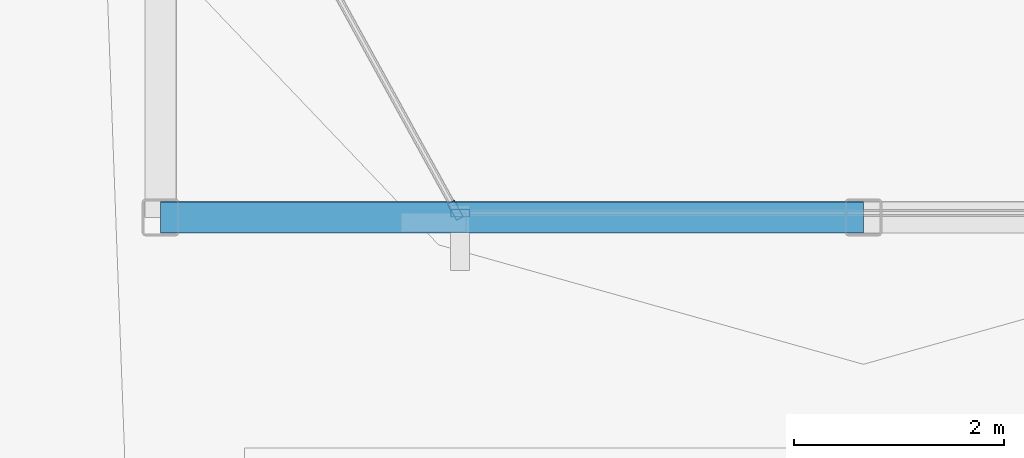
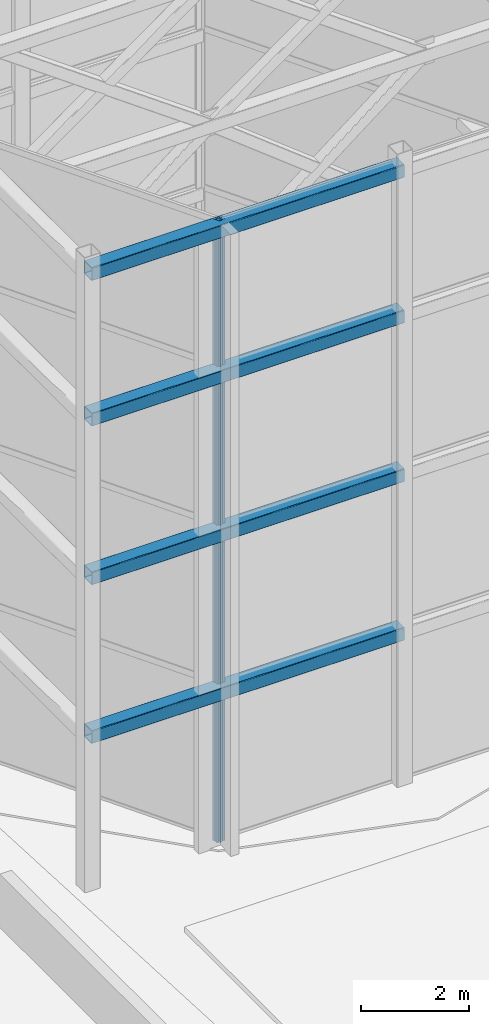
# One storey, part 10 of 24: 4 beams, 2 members, 2 elements without a shape of their own.
"""IFC4 building model written with IfcOpenShell, lengths in metres."""

import ifcopenshell
import ifcopenshell.guid

model = None  # the IFC model being written
_history = None  # IfcOwnerHistory: only IFC2X3 demands one
_inside = {}  # id of a spatial element -> (the spatial element, [elements in it])
_under = {}  # id of a project, library or spatial element -> (it, [spatial elements below it])
_declared = {}  # id of a project -> (the project, [libraries it declares])
_typed = {}  # id of a type object -> (the type object, [elements of that type])
_made_of = {}  # id of a material, layer set ... -> (it, [elements and type objects made of it])


def new_model(schema):
    """Start an empty IFC model of exactly this schema.

    Asked for "IFC4X3", IfcOpenShell would pick the latest addendum, in which some entities
    have other attributes; the version numbers below select the first issue.
    IFC2X3 requires an IfcOwnerHistory on every rooted entity: one is made here for all.
    """
    global model, _history
    if schema == "IFC4X3":
        model = ifcopenshell.file(schema_version=(4, 3, 0, 0))
    else:
        model = ifcopenshell.file(schema=schema)
    _inside.clear()
    _under.clear()
    _declared.clear()
    _typed.clear()
    _made_of.clear()
    _history = None
    if model.schema == "IFC2X3":
        org = make("IfcOrganization", Name="unknown")
        user = make(
            "IfcPersonAndOrganization",
            ThePerson=make("IfcPerson", FamilyName="unknown"),
            TheOrganization=org,
        )
        app = make(
            "IfcApplication",
            ApplicationDeveloper=org,
            Version="unknown",
            ApplicationFullName="unknown",
            ApplicationIdentifier="unknown",
        )
        _history = make(
            "IfcOwnerHistory",
            OwningUser=user,
            OwningApplication=app,
            ChangeAction="ADDED",
            CreationDate=0,
        )
    return model


def make(cls, **values):
    """One entity of the class cls with the attributes given. An attribute that is None is left unset."""
    return model.create_entity(
        cls, **{name: value for name, value in values.items() if value is not None}
    )


def rooted(cls, **values):
    """An entity with a GlobalId (a new one), such as an element, a storey or a relation."""
    return make(cls, GlobalId=ifcopenshell.guid.new(), OwnerHistory=_history, **values)


def si_unit(unit_type, name, prefix=None):
    """IfcSIUnit, for example si_unit("LENGTHUNIT", "METRE", prefix="MILLI")."""
    return make("IfcSIUnit", UnitType=unit_type, Prefix=prefix, Name=name)


def assignment(units):
    """IfcUnitAssignment: the units of a project."""
    return None if units is None else make("IfcUnitAssignment", Units=units)


def point(xyz):
    """IfcCartesianPoint."""
    return None if xyz is None else make("IfcCartesianPoint", Coordinates=xyz)


def direction(xyz):
    """IfcDirection."""
    return None if xyz is None else make("IfcDirection", DirectionRatios=xyz)


def frame(location, z_axis=None, x_axis=None):
    """IfcAxis2Placement3D, a coordinate frame: its origin and axes. An axis left out is left unset."""
    return make(
        "IfcAxis2Placement3D",
        Location=point(location),
        Axis=direction(z_axis),
        RefDirection=direction(x_axis),
    )


def frame_2d(location, x_axis=None):
    """IfcAxis2Placement2D, a coordinate frame in the plane: its origin and x axis."""
    return make(
        "IfcAxis2Placement2D", Location=point(location), RefDirection=direction(x_axis)
    )


def origin():
    """The frame at (0, 0, 0) with its axes left unset."""
    return frame((0.0, 0.0, 0.0))


def origin_2d():
    """The frame at (0, 0) in the plane with its x axis left unset."""
    return frame_2d((0.0, 0.0))


def place(relative_to, where):
    """IfcLocalPlacement: puts the frame where relative to a parent placement (None: the world)."""
    return make(
        "IfcLocalPlacement", PlacementRelTo=relative_to, RelativePlacement=where
    )


def context(
    kind, dimensions, precision=None, world=None, true_north=None, identifier=None
):
    """IfcGeometricRepresentationContext, for example the 3D "Model" context."""
    return make(
        "IfcGeometricRepresentationContext",
        ContextIdentifier=identifier,
        ContextType=kind,
        CoordinateSpaceDimension=dimensions,
        Precision=precision,
        WorldCoordinateSystem=world,
        TrueNorth=true_north,
    )


def subcontext(parent, identifier, kind, view, scale=None):
    """IfcGeometricRepresentationSubContext, for example "Body" below "Model"."""
    return make(
        "IfcGeometricRepresentationSubContext",
        ContextIdentifier=identifier,
        ContextType=kind,
        ParentContext=parent,
        TargetScale=scale,
        TargetView=view,
    )


def project(units=None, contexts=None):
    """IfcProject with its units and contexts."""
    return rooted(
        "IfcProject",
        Name="project",
        RepresentationContexts=contexts,
        UnitsInContext=assignment(units),
    )


def spatial(cls, under=None, at=None, **own):
    """A site, building, storey or space (cls), placed at a placement, below another one or the project."""
    s = rooted(cls, ObjectPlacement=at, **own)
    if under is not None:
        _under.setdefault(under.id(), (under, []))[1].append(s)
    return s


def profile(cls, at=None, kind="AREA", **sizes):
    """A parametric profile (cls). Its sizes go by their IFC names, for example OverallWidth=200.0."""
    return make(cls, ProfileType=kind, Position=at, **sizes)


def hollow_rectangle(**sizes):
    """IfcRectangleHollowProfileDef."""
    return profile("IfcRectangleHollowProfileDef", **sizes)


def extrude(swept, where, along, depth):
    """IfcExtrudedAreaSolid: the profile swept, set in the frame where, extruded along a direction by depth."""
    return make(
        "IfcExtrudedAreaSolid",
        SweptArea=swept,
        Position=where,
        ExtrudedDirection=direction(along),
        Depth=depth,
    )


def shape(context_of_items, identifier, shape_type, items):
    """IfcShapeRepresentation: the items that make up one representation, for example the "Body"."""
    return make(
        "IfcShapeRepresentation",
        ContextOfItems=context_of_items,
        RepresentationIdentifier=identifier,
        RepresentationType=shape_type,
        Items=items,
    )


def material(Name=None, Category=None):
    """IfcMaterial."""
    return make("IfcMaterial", Name=Name, Category=Category)


def layer(
    of_material, thickness, ventilated=None, Name=None, Category=None, Priority=None
):
    """IfcMaterialLayer: one layer of a wall or slab, of a material (None: an air gap)."""
    return make(
        "IfcMaterialLayer",
        Material=of_material,
        LayerThickness=thickness,
        IsVentilated=ventilated,
        Name=Name,
        Category=Category,
        Priority=Priority,
    )


def layer_set(layers, Name=None):
    """IfcMaterialLayerSet."""
    return make("IfcMaterialLayerSet", MaterialLayers=layers, LayerSetName=Name)


def material_profile(
    of_material, cross_section, Name=None, Category=None, Priority=None
):
    """IfcMaterialProfile: a cross section and its material."""
    return make(
        "IfcMaterialProfile",
        Name=Name,
        Material=of_material,
        Profile=cross_section,
        Priority=Priority,
        Category=Category,
    )


def profile_set(profiles, Name=None, composite=None):
    """IfcMaterialProfileSet."""
    return make(
        "IfcMaterialProfileSet",
        Name=Name,
        MaterialProfiles=profiles,
        CompositeProfile=composite,
    )


def made_of(thing, what):
    """Note that an element or type object is made of a material, layer set ...; save() writes the relation."""
    if what is not None:
        _made_of.setdefault(what.id(), (what, []))[1].append(thing)
    return thing


def type_object(cls, material=None, **own):
    """A type object (cls), such as IfcWallType, which elements share."""
    return made_of(rooted(cls, **own), material)


def element(
    cls,
    number,
    at=None,
    inside=None,
    cuts=None,
    type_object=None,
    material=None,
    context=None,
    identifier="Body",
    shape_type=None,
    held_by="IfcProductDefinitionShape",
    body=None,
    shapes=None,
    **own,
):
    """One element of the class cls, such as IfcWall. Its Tag is "e" and its number.

    at: its placement. inside: the storey or other place that contains it. cuts: it is an
    opening in that element (IfcRelVoidsElement). A single representation is given by context,
    identifier, shape_type and body (its items); several are given by shapes. held_by: the class
    of the entity that holds the representations. save() writes the other relations.
    """
    e = rooted(cls, Tag="e%d" % number, ObjectPlacement=at, **own)
    if body is not None:
        shapes = [shape(context, identifier, shape_type, body)]
    if shapes is not None:
        e.Representation = make(held_by, Representations=shapes)
    if inside is not None:
        _inside.setdefault(inside.id(), (inside, []))[1].append(e)
    if cuts is not None:
        rooted(
            "IfcRelVoidsElement", RelatingBuildingElement=cuts, RelatedOpeningElement=e
        )
    if type_object is not None:
        _typed.setdefault(type_object.id(), (type_object, []))[1].append(e)
    return made_of(e, material)


def aggregate(whole, parts):
    """IfcRelAggregates: a whole, such as a stair, and the parts it consists of."""
    return rooted("IfcRelAggregates", RelatingObject=whole, RelatedObjects=parts)


def save(model, path):
    """Write the relations noted so far, then the file.

    IfcRelAggregates (storeys below a building ...), IfcRelContainedInSpatialStructure (elements
    in a storey), IfcRelDefinesByType, IfcRelAssociatesMaterial and IfcRelDeclares: one each for
    every whole, place, type object, material and project.
    """
    for whole, parts in _under.values():
        aggregate(whole, parts)
    for where, things in _inside.values():
        rooted(
            "IfcRelContainedInSpatialStructure",
            RelatedElements=things,
            RelatingStructure=where,
        )
    for kind, things in _typed.values():
        rooted("IfcRelDefinesByType", RelatedObjects=things, RelatingType=kind)
    for what, things in _made_of.values():
        rooted("IfcRelAssociatesMaterial", RelatedObjects=things, RelatingMaterial=what)
    for by, libraries in _declared.values():
        rooted("IfcRelDeclares", RelatingContext=by, RelatedDefinitions=libraries)
    model.write(path)


model = new_model("IFC4")

# Units and contexts
model_context = context("Model", 3, precision=1e-05, world=origin(), true_north=direction((0.0, 1.0)))
body_context = subcontext(model_context, "Body", "Model", "MODEL_VIEW")
ifc_project = project(units=[si_unit("LENGTHUNIT", "METRE"), si_unit("AREAUNIT", "SQUARE_METRE"), si_unit("VOLUMEUNIT", "CUBIC_METRE"), si_unit("PLANEANGLEUNIT", "RADIAN"), si_unit("MASSUNIT", "GRAM", prefix="KILO")], contexts=[model_context])

# Site, building, storey
site_placement = place(None, origin())
site = spatial("IfcSite", under=ifc_project, at=site_placement, CompositionType="ELEMENT")
building_placement = place(site_placement, origin())
building = spatial("IfcBuilding", under=site, at=building_placement, Name="Solvaryn Broadcast Tower", CompositionType="ELEMENT")
storey_placement = place(building_placement, frame((0.0, 0.0, 307.800048828125)))
storey = spatial("IfcBuildingStorey", under=building, at=storey_placement, Name="Roof Main", CompositionType="ELEMENT", Elevation=307.800048828125)

# Beams
ifc_material_1 = material(Name="Steel ASTM A500 Grade C", Category="steel")
ifc_material_profile_1 = material_profile(ifc_material_1, hollow_rectangle(XDim=0.300048828125, YDim=0.300048828125, WallThickness=0.01416015625, InnerFilletRadius=0.01416015625, OuterFilletRadius=0.0283203125, at=origin_2d()))
ifc_profile_set_1 = profile_set([ifc_material_profile_1], Name="Steel ASTM A500 Grade C")
beam_type = type_object("IfcBeamType", Name="BM-CROWN-RING", PredefinedType="BEAM", material=ifc_profile_set_1)
for number, where, z_axis, x_axis, name in (
    (1, (11.199951171875, 28.199951171875, 3.449951171875), (1.0, 0.0, 0.0), (0.0, 1.0, 0.0), "Roof Main CROWN FRAME Ring Beam WT1-1"),
    (2, (11.199951171875, 28.199951171875, 7.050048828125), (1.0, 0.0, 0.0), (0.0, 1.0, 0.0), "Roof Main CROWN FRAME Ring Beam WT2-1"),
    (3, (11.199951171875, 28.199951171875, 10.64990234375), (1.0, 0.0, 0.0), (0.0, 1.0, 0.0), "Roof Main CROWN FRAME Ring Beam WT3-1"),
    (4, (11.199951171875, 28.199951171875, 13.949951171875), (1.0, 0.0, 0.0), (0.0, 1.0, 0.0), "Roof Main CROWN FRAME Ring Beam WT4-1"),
):
    element("IfcBeam", number, at=place(storey_placement, frame(where, z_axis=z_axis, x_axis=x_axis)), inside=storey, type_object=beam_type, Name=name, PredefinedType="BEAM", context=body_context, shape_type="SweptSolid", body=[
        extrude(hollow_rectangle(XDim=0.300048828125, YDim=0.300048828125, WallThickness=0.01416015625, InnerFilletRadius=0.01416015625, OuterFilletRadius=0.0283203125, at=origin_2d()), origin(), (0.0, 0.0, 1.0), 6.699951171875),
    ])

# Curtain wall, member
ifc_material_2 = material(Name="Aluminium and Terracotta Unitised Curtain Wall", Category="masonry")
ifc_layer = layer(ifc_material_2, 0.2099609375)
ifc_layer_set = layer_set([ifc_layer], Name="CW-SYS6-CROWN")
curtain_wall_type = type_object("IfcCurtainWallType", Name="CW-SYS6-CROWN", PredefinedType="NOTDEFINED", material=ifc_layer_set)
curtain_wall_1_placement = place(storey_placement, origin())
curtain_wall_1 = element("IfcCurtainWall", 5, at=curtain_wall_1_placement, inside=storey, type_object=curtain_wall_type, Name="Roof Main Split-Top Crown Curtain Wall W4", PredefinedType="NOTDEFINED")
ifc_material_3 = material(Name="Anodised Aluminium 6063-T6", Category="aluminium")
ifc_material_profile_2 = material_profile(ifc_material_3, hollow_rectangle(XDim=0.074951171875, YDim=0.179931640625, WallThickness=0.00390625, InnerFilletRadius=0.00390625, OuterFilletRadius=0.008056640625, at=origin_2d()))
ifc_profile_set_2 = profile_set([ifc_material_profile_2], Name="Anodised Aluminium 6063-T6")
member_type = type_object("IfcMemberType", Name="CW-MUL-180", PredefinedType="MULLION", material=ifc_profile_set_2)
member_1_placement = place(storey_placement, frame((14.010498046875, 28.268310546875, 0.0), z_axis=(0.0, 0.0, 1.0), x_axis=(0.876577523452, 0.481260683391, 0.0)))
member_1 = element("IfcMember", 6, at=member_1_placement, type_object=member_type, Name="CWS6 mullion 2", PredefinedType="MULLION", context=body_context, shape_type="SweptSolid", body=[
    extrude(hollow_rectangle(XDim=0.074951171875, YDim=0.179931640625, WallThickness=0.00390625, InnerFilletRadius=0.00390625, OuterFilletRadius=0.008056640625, at=origin_2d()), origin(), (0.0, 0.0, 1.0), 14.099853515625),
])
aggregate(curtain_wall_1, [member_1])

curtain_wall_2_placement = place(storey_placement, origin())
curtain_wall_2 = element("IfcCurtainWall", 7, at=curtain_wall_2_placement, inside=storey, type_object=curtain_wall_type, Name="Roof Main Split-Top Crown Curtain Wall W5", PredefinedType="NOTDEFINED")
member_2_placement = place(storey_placement, frame((14.054931640625, 28.241943359375, 0.0), z_axis=(0.0, 0.0, 1.0), x_axis=(0.0, 1.0, 0.0)))
member_2 = element("IfcMember", 8, at=member_2_placement, type_object=member_type, Name="CWS6 mullion 1", PredefinedType="MULLION", context=body_context, shape_type="SweptSolid", body=[
    extrude(hollow_rectangle(XDim=0.074951171875, YDim=0.179931640625, WallThickness=0.00390625, InnerFilletRadius=0.00390625, OuterFilletRadius=0.008056640625, at=origin_2d()), origin(), (0.0, 0.0, 1.0), 14.099853515625),
])
aggregate(curtain_wall_2, [member_2])

save(model, "model.ifc")
